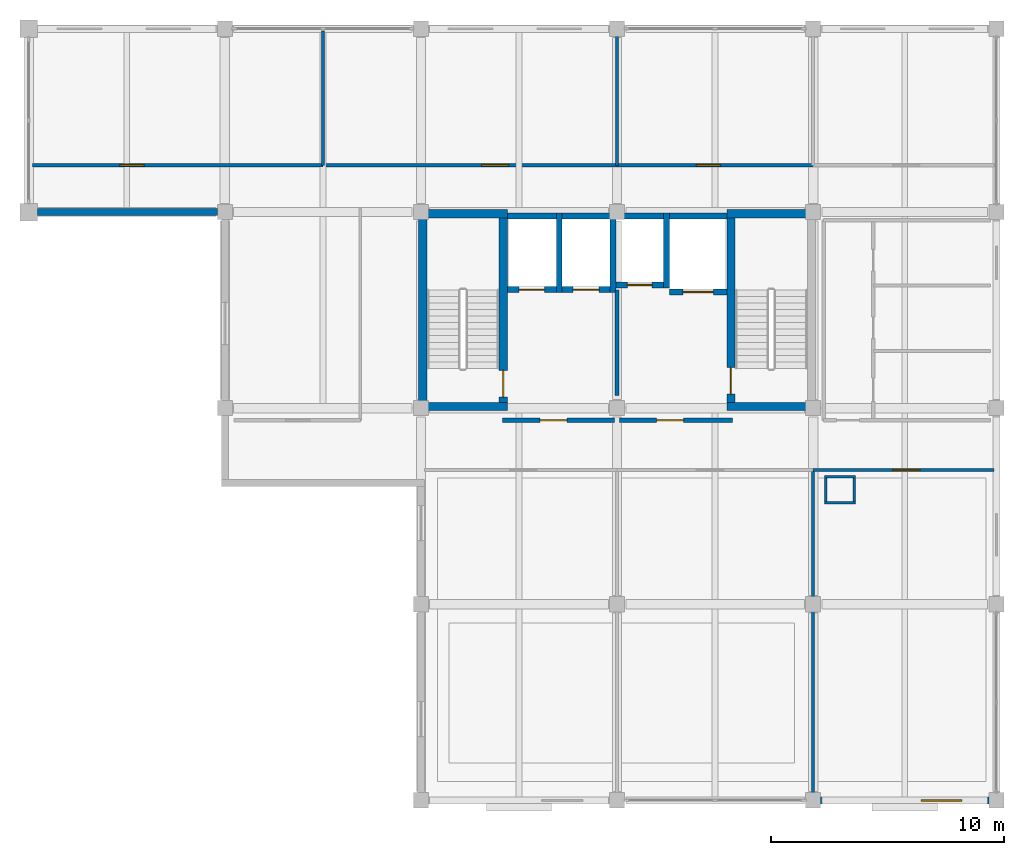
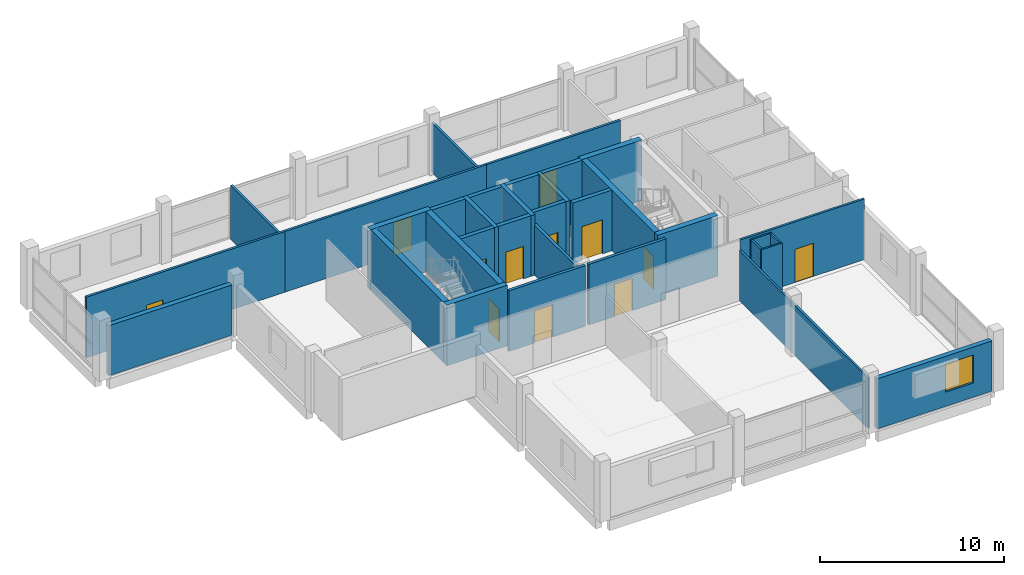
# One storey, part 7 of 9: 34 walls, 12 doors, 1 window, 13 openings.
"""IFC4 building model written with IfcOpenShell, lengths in metres."""

import ifcopenshell
import ifcopenshell.guid

model = None  # the IFC model being written
_history = None  # IfcOwnerHistory: only IFC2X3 demands one
_inside = {}  # id of a spatial element -> (the spatial element, [elements in it])
_under = {}  # id of a project, library or spatial element -> (it, [spatial elements below it])
_declared = {}  # id of a project -> (the project, [libraries it declares])
_typed = {}  # id of a type object -> (the type object, [elements of that type])
_made_of = {}  # id of a material, layer set ... -> (it, [elements and type objects made of it])


def new_model(schema):
    """Start an empty IFC model of exactly this schema.

    Asked for "IFC4X3", IfcOpenShell would pick the latest addendum, in which some entities
    have other attributes; the version numbers below select the first issue.
    IFC2X3 requires an IfcOwnerHistory on every rooted entity: one is made here for all.
    """
    global model, _history
    if schema == "IFC4X3":
        model = ifcopenshell.file(schema_version=(4, 3, 0, 0))
    else:
        model = ifcopenshell.file(schema=schema)
    _inside.clear()
    _under.clear()
    _declared.clear()
    _typed.clear()
    _made_of.clear()
    _history = None
    if model.schema == "IFC2X3":
        org = make("IfcOrganization", Name="unknown")
        user = make(
            "IfcPersonAndOrganization",
            ThePerson=make("IfcPerson", FamilyName="unknown"),
            TheOrganization=org,
        )
        app = make(
            "IfcApplication",
            ApplicationDeveloper=org,
            Version="unknown",
            ApplicationFullName="unknown",
            ApplicationIdentifier="unknown",
        )
        _history = make(
            "IfcOwnerHistory",
            OwningUser=user,
            OwningApplication=app,
            ChangeAction="ADDED",
            CreationDate=0,
        )
    return model


def make(cls, **values):
    """One entity of the class cls with the attributes given. An attribute that is None is left unset."""
    return model.create_entity(
        cls, **{name: value for name, value in values.items() if value is not None}
    )


def rooted(cls, **values):
    """An entity with a GlobalId (a new one), such as an element, a storey or a relation."""
    return make(cls, GlobalId=ifcopenshell.guid.new(), OwnerHistory=_history, **values)


def si_unit(unit_type, name, prefix=None):
    """IfcSIUnit, for example si_unit("LENGTHUNIT", "METRE", prefix="MILLI")."""
    return make("IfcSIUnit", UnitType=unit_type, Prefix=prefix, Name=name)


def assignment(units):
    """IfcUnitAssignment: the units of a project."""
    return None if units is None else make("IfcUnitAssignment", Units=units)


def point(xyz):
    """IfcCartesianPoint."""
    return None if xyz is None else make("IfcCartesianPoint", Coordinates=xyz)


def direction(xyz):
    """IfcDirection."""
    return None if xyz is None else make("IfcDirection", DirectionRatios=xyz)


def frame(location, z_axis=None, x_axis=None):
    """IfcAxis2Placement3D, a coordinate frame: its origin and axes. An axis left out is left unset."""
    return make(
        "IfcAxis2Placement3D",
        Location=point(location),
        Axis=direction(z_axis),
        RefDirection=direction(x_axis),
    )


def frame_2d(location, x_axis=None):
    """IfcAxis2Placement2D, a coordinate frame in the plane: its origin and x axis."""
    return make(
        "IfcAxis2Placement2D", Location=point(location), RefDirection=direction(x_axis)
    )


def origin():
    """The frame at (0, 0, 0) with its axes left unset."""
    return frame((0.0, 0.0, 0.0))


def place(relative_to, where):
    """IfcLocalPlacement: puts the frame where relative to a parent placement (None: the world)."""
    return make(
        "IfcLocalPlacement", PlacementRelTo=relative_to, RelativePlacement=where
    )


def context(
    kind, dimensions, precision=None, world=None, true_north=None, identifier=None
):
    """IfcGeometricRepresentationContext, for example the 3D "Model" context."""
    return make(
        "IfcGeometricRepresentationContext",
        ContextIdentifier=identifier,
        ContextType=kind,
        CoordinateSpaceDimension=dimensions,
        Precision=precision,
        WorldCoordinateSystem=world,
        TrueNorth=true_north,
    )


def subcontext(parent, identifier, kind, view, scale=None):
    """IfcGeometricRepresentationSubContext, for example "Body" below "Model"."""
    return make(
        "IfcGeometricRepresentationSubContext",
        ContextIdentifier=identifier,
        ContextType=kind,
        ParentContext=parent,
        TargetScale=scale,
        TargetView=view,
    )


def project(units=None, contexts=None):
    """IfcProject with its units and contexts."""
    return rooted(
        "IfcProject",
        Name="project",
        RepresentationContexts=contexts,
        UnitsInContext=assignment(units),
    )


def spatial(cls, under=None, at=None, **own):
    """A site, building, storey or space (cls), placed at a placement, below another one or the project."""
    s = rooted(cls, ObjectPlacement=at, **own)
    if under is not None:
        _under.setdefault(under.id(), (under, []))[1].append(s)
    return s


def profile(cls, at=None, kind="AREA", **sizes):
    """A parametric profile (cls). Its sizes go by their IFC names, for example OverallWidth=200.0."""
    return make(cls, ProfileType=kind, Position=at, **sizes)


def rectangle(**sizes):
    """IfcRectangleProfileDef."""
    return profile("IfcRectangleProfileDef", **sizes)


def extrude(swept, where, along, depth):
    """IfcExtrudedAreaSolid: the profile swept, set in the frame where, extruded along a direction by depth."""
    return make(
        "IfcExtrudedAreaSolid",
        SweptArea=swept,
        Position=where,
        ExtrudedDirection=direction(along),
        Depth=depth,
    )


def shape(context_of_items, identifier, shape_type, items):
    """IfcShapeRepresentation: the items that make up one representation, for example the "Body"."""
    return make(
        "IfcShapeRepresentation",
        ContextOfItems=context_of_items,
        RepresentationIdentifier=identifier,
        RepresentationType=shape_type,
        Items=items,
    )


def material(Name=None, Category=None):
    """IfcMaterial."""
    return make("IfcMaterial", Name=Name, Category=Category)


def layer(
    of_material, thickness, ventilated=None, Name=None, Category=None, Priority=None
):
    """IfcMaterialLayer: one layer of a wall or slab, of a material (None: an air gap)."""
    return make(
        "IfcMaterialLayer",
        Material=of_material,
        LayerThickness=thickness,
        IsVentilated=ventilated,
        Name=Name,
        Category=Category,
        Priority=Priority,
    )


def layer_set(layers, Name=None):
    """IfcMaterialLayerSet."""
    return make("IfcMaterialLayerSet", MaterialLayers=layers, LayerSetName=Name)


def made_of(thing, what):
    """Note that an element or type object is made of a material, layer set ...; save() writes the relation."""
    if what is not None:
        _made_of.setdefault(what.id(), (what, []))[1].append(thing)
    return thing


def type_object(cls, material=None, **own):
    """A type object (cls), such as IfcWallType, which elements share."""
    return made_of(rooted(cls, **own), material)


def element(
    cls,
    number,
    at=None,
    inside=None,
    cuts=None,
    type_object=None,
    material=None,
    context=None,
    identifier="Body",
    shape_type=None,
    held_by="IfcProductDefinitionShape",
    body=None,
    shapes=None,
    **own,
):
    """One element of the class cls, such as IfcWall. Its Tag is "e" and its number.

    at: its placement. inside: the storey or other place that contains it. cuts: it is an
    opening in that element (IfcRelVoidsElement). A single representation is given by context,
    identifier, shape_type and body (its items); several are given by shapes. held_by: the class
    of the entity that holds the representations. save() writes the other relations.
    """
    e = rooted(cls, Tag="e%d" % number, ObjectPlacement=at, **own)
    if body is not None:
        shapes = [shape(context, identifier, shape_type, body)]
    if shapes is not None:
        e.Representation = make(held_by, Representations=shapes)
    if inside is not None:
        _inside.setdefault(inside.id(), (inside, []))[1].append(e)
    if cuts is not None:
        rooted(
            "IfcRelVoidsElement", RelatingBuildingElement=cuts, RelatedOpeningElement=e
        )
    if type_object is not None:
        _typed.setdefault(type_object.id(), (type_object, []))[1].append(e)
    return made_of(e, material)


def fill(opening, filler):
    """IfcRelFillsElement: the door or window that sits in an opening."""
    return rooted(
        "IfcRelFillsElement",
        RelatingOpeningElement=opening,
        RelatedBuildingElement=filler,
    )


def aggregate(whole, parts):
    """IfcRelAggregates: a whole, such as a stair, and the parts it consists of."""
    return rooted("IfcRelAggregates", RelatingObject=whole, RelatedObjects=parts)


def save(model, path):
    """Write the relations noted so far, then the file.

    IfcRelAggregates (storeys below a building ...), IfcRelContainedInSpatialStructure (elements
    in a storey), IfcRelDefinesByType, IfcRelAssociatesMaterial and IfcRelDeclares: one each for
    every whole, place, type object, material and project.
    """
    for whole, parts in _under.values():
        aggregate(whole, parts)
    for where, things in _inside.values():
        rooted(
            "IfcRelContainedInSpatialStructure",
            RelatedElements=things,
            RelatingStructure=where,
        )
    for kind, things in _typed.values():
        rooted("IfcRelDefinesByType", RelatedObjects=things, RelatingType=kind)
    for what, things in _made_of.values():
        rooted("IfcRelAssociatesMaterial", RelatedObjects=things, RelatingMaterial=what)
    for by, libraries in _declared.values():
        rooted("IfcRelDeclares", RelatingContext=by, RelatedDefinitions=libraries)
    model.write(path)


model = new_model("IFC4")

# Units and contexts
model_context = context("Model", 3, precision=1e-05, world=origin(), true_north=direction((0.0, 1.0)))
body_context = subcontext(model_context, "Body", "Model", "MODEL_VIEW")
ifc_project = project(units=[si_unit("LENGTHUNIT", "METRE"), si_unit("AREAUNIT", "SQUARE_METRE"), si_unit("VOLUMEUNIT", "CUBIC_METRE"), si_unit("PLANEANGLEUNIT", "RADIAN"), si_unit("MASSUNIT", "GRAM", prefix="KILO")], contexts=[model_context])

# Site, building, storey
site_placement = place(None, origin())
site = spatial("IfcSite", under=ifc_project, at=site_placement, CompositionType="ELEMENT")
building_placement = place(site_placement, origin())
building = spatial("IfcBuilding", under=site, at=building_placement, Name="Brinegate Botanical Conservatory", CompositionType="ELEMENT")
storey_placement = place(building_placement, frame((0.0, 0.0, 57.0)))
storey = spatial("IfcBuildingStorey", under=building, at=storey_placement, Name="L14", CompositionType="ELEMENT", Elevation=57.0)

# Wall, opening, window
ifc_material_1 = material(Name="Insulated Minnan red clay brick masonry", Category="masonry")
ifc_layer_1 = layer(ifc_material_1, 0.300048828125, Name="Insulated Minnan red clay brick masonry", Category="masonry")
ifc_layer_set_1 = layer_set([ifc_layer_1], Name="Insulated Minnan red clay brick masonry")
wall_type_1 = type_object("IfcWallType", Name="Wall_EW-300B", PredefinedType="STANDARD", material=ifc_layer_set_1)
wall_1_placement = place(storey_placement, frame((163.125, 78.39990234375, 0.0), z_axis=(0.0, 0.0, 1.0), x_axis=(-1.0, 0.0, 0.0)))
wall_1 = element("IfcWall", 1, at=wall_1_placement, inside=storey, type_object=wall_type_1, Name="Tower south facade wall L14.3", PredefinedType="STANDARD", context=body_context, shape_type="SweptSolid", body=[
    extrude(rectangle(XDim=7.199951171875, YDim=0.300048828125, at=frame_2d((3.60009765625, 0.0))), origin(), (0.0, 0.0, 1.0), 3.320068359375),
])
opening_1_placement = place(wall_1_placement, frame((1.14990234375, 0.0, 0.949951171875)))
opening_1 = element("IfcOpeningElement", 2, at=opening_1_placement, cuts=wall_1, Name="Opening WN-28", PredefinedType="OPENING", context=body_context, shape_type="SweptSolid", body=[
    extrude(rectangle(XDim=1.75, YDim=1.85009765625, at=frame_2d((0.875, 0.925048828125))), frame((0.0, 0.159912109375, 0.0), z_axis=(0.0, -1.0, 0.0), x_axis=(1.0, 0.0, 0.0)), (0.0, 0.0, 1.0), 0.320068359375),
])
ifc_material_2 = material(Name="Thermally broken aluminium-framed Low-E glass", Category="aluminium")
window_type = type_object("IfcWindowType", Name="Win_WN-28", PartitioningType="DOUBLE_PANEL_VERTICAL", PredefinedType="WINDOW", material=ifc_material_2)
window_placement = place(opening_1_placement, origin())
window = element("IfcWindow", 3, at=window_placement, inside=storey, type_object=window_type, Name="Tower south window L14.3", OverallHeight=1.85009765625, OverallWidth=1.75, PartitioningType="DOUBLE_PANEL_VERTICAL", PredefinedType="WINDOW", context=body_context, shape_type="SweptSolid", body=[
    extrude(rectangle(XDim=1.75, YDim=1.85009765625, at=frame_2d((0.875, 0.925048828125))), frame((0.0, 0.030029296875, 0.0), z_axis=(0.0, -1.0, 0.0), x_axis=(1.0, 0.0, 0.0)), (0.0, 0.0, 1.0), 0.06005859375),
])
fill(opening_1, window)

# Walls
wall_2_placement = place(storey_placement, frame((130.074951171875, 103.60009765625, 0.0), z_axis=(0.0, 0.0, 1.0), x_axis=(-1.0, 0.0, 0.0)))
element("IfcWall", 4, at=wall_2_placement, inside=storey, type_object=wall_type_1, Name="Tower west setback return wall L14", PredefinedType="STANDARD", context=body_context, shape_type="SweptSolid", body=[
    extrude(rectangle(XDim=7.699951171875, YDim=0.300048828125, at=frame_2d((3.85009765625, 0.0))), origin(), (0.0, 0.0, 1.0), 3.320068359375),
])
ifc_material_3 = material(Name="Gypsum-clad steel-stud fire-rated shaft partition", Category="steel")
ifc_layer_2 = layer(ifc_material_3, 0.10498046875, Name="Gypsum-clad steel-stud fire-rated shaft partition", Category="steel")
ifc_layer_set_2 = layer_set([ifc_layer_2], Name="Gypsum-clad steel-stud fire-rated shaft partition")
wall_type_2 = type_object("IfcWallType", Name="Wall_PW-105", PredefinedType="PARTITIONING", material=ifc_layer_set_2)
for number, where, z_axis, x_axis, name in (
    (5, (156.094970703125, 91.1474609375, 0.0), (0.0, 0.0, 1.0), (1.0, 0.0, 0.0), "Service riser shaft wall L14 S"),
    (6, (156.094970703125, 92.25244140625, 0.0), (0.0, 0.0, 1.0), (1.0, 0.0, 0.0), "Service riser shaft wall L14 N"),
):
    element("IfcWall", number, at=place(storey_placement, frame(where, z_axis=z_axis, x_axis=x_axis)), inside=storey, type_object=wall_type_2, Name=name, PredefinedType="PARTITIONING", context=body_context, shape_type="SweptSolid", body=[
        extrude(rectangle(XDim=1.31005859375, YDim=0.10498046875, at=frame_2d((0.655029296875, 0.0))), origin(), (0.0, 0.0, 1.0), 4.02001953125),
    ])
for number, where, z_axis, x_axis, name in (
    (7, (156.1474609375, 91.199951171875, 0.0), (0.0, 0.0, 1.0), (0.0, 1.0, 0.0), "Service riser shaft wall L14 W"),
    (8, (157.3525390625, 91.199951171875, 0.0), (0.0, 0.0, 1.0), (0.0, 1.0, 0.0), "Service riser shaft wall L14 E"),
):
    element("IfcWall", number, at=place(storey_placement, frame(where, z_axis=z_axis, x_axis=x_axis)), inside=storey, type_object=wall_type_2, Name=name, PredefinedType="PARTITIONING", context=body_context, shape_type="SweptSolid", body=[
        extrude(rectangle(XDim=1.0, YDim=0.10498046875, at=frame_2d((0.5, 0.0))), origin(), (0.0, 0.0, 1.0), 4.02001953125),
    ])
ifc_material_4 = material(Name="Gypsum-clad steel-stud partition", Category="steel")
ifc_layer_3 = layer(ifc_material_4, 0.135009765625, Name="Gypsum-clad steel-stud partition", Category="steel")
ifc_layer_set_3 = layer_set([ifc_layer_3], Name="Gypsum-clad steel-stud partition")
wall_type_3 = type_object("IfcWallType", Name="Wall_PW-135", PredefinedType="PARTITIONING", material=ifc_layer_set_3)
wall_3_placement = place(storey_placement, frame((134.60009765625, 105.60009765625, 0.0), z_axis=(0.0, 0.0, 1.0), x_axis=(0.0, 1.0, 0.0)))
element("IfcWall", 9, at=wall_3_placement, inside=storey, type_object=wall_type_3, Name="Interior partition P-L14-NDIV-N2", PredefinedType="PARTITIONING", context=body_context, shape_type="SweptSolid", body=[
    extrude(rectangle(XDim=5.75, YDim=0.135009765625, at=frame_2d((2.875, 0.0))), origin(), (0.0, 0.0, 1.0), 3.570068359375),
])
wall_4_placement = place(storey_placement, frame((147.199951171875, 105.60009765625, 0.0), z_axis=(0.0, 0.0, 1.0), x_axis=(0.0, 1.0, 0.0)))
element("IfcWall", 10, at=wall_4_placement, inside=storey, type_object=wall_type_3, Name="Interior partition P-L14-NDIV-N3", PredefinedType="PARTITIONING", context=body_context, shape_type="SweptSolid", body=[
    extrude(rectangle(XDim=5.75, YDim=0.135009765625, at=frame_2d((2.875, 0.0))), origin(), (0.0, 0.0, 1.0), 3.320068359375),
])

# Wall, opening, door
wall_5_placement = place(storey_placement, frame((155.60009765625, 92.550048828125, 0.0), z_axis=(0.0, 0.0, 1.0), x_axis=(1.0, 0.0, 0.0)))
wall_5 = element("IfcWall", 11, at=wall_5_placement, inside=storey, type_object=wall_type_3, Name="Interior partition P-L14-SB-S3", PredefinedType="PARTITIONING", context=body_context, shape_type="SweptSolid", body=[
    extrude(rectangle(XDim=7.75, YDim=0.135009765625, at=frame_2d((3.875, 0.0))), origin(), (0.0, 0.0, 1.0), 4.02001953125),
])
opening_2_placement = place(wall_5_placement, frame((3.39990234375, 0.0, 0.0)))
opening_2 = element("IfcOpeningElement", 12, at=opening_2_placement, cuts=wall_5, Name="Opening DR-18", PredefinedType="OPENING", context=body_context, shape_type="SweptSolid", body=[
    extrude(rectangle(XDim=1.159912109375, YDim=2.199951171875, at=frame_2d((0.580078125, 1.10009765625))), frame((0.0, 0.077392578125, 0.0), z_axis=(0.0, -1.0, 0.0), x_axis=(1.0, 0.0, 0.0)), (0.0, 0.0, 1.0), 0.155029296875),
])
ifc_material_5 = material(Name="Hardwood office timber leaf", Category="wood")
door_type_1 = type_object("IfcDoorType", Name="Door_DR-18", OperationType="NOTDEFINED", PredefinedType="DOOR", material=ifc_material_5)
door_1_placement = place(opening_2_placement, origin())
door_1 = element("IfcDoor", 13, at=door_1_placement, inside=storey, type_object=door_type_1, Name="DR-P-L14-SB-S3-1", OperationType="SINGLE_SWING_RIGHT", OverallHeight=2.199951171875, OverallWidth=1.159912109375, PredefinedType="DOOR", context=body_context, shape_type="SweptSolid", body=[
    extrude(rectangle(XDim=1.159912109375, YDim=2.199951171875, at=frame_2d((0.580078125, 1.10009765625))), frame((0.0, 0.02490234375, 0.0), z_axis=(0.0, -1.0, 0.0), x_axis=(1.0, 0.0, 0.0)), (0.0, 0.0, 1.0), 0.050048828125),
])
fill(opening_2, door_1)

# Wall
wall_6_placement = place(storey_placement, frame((155.60009765625, 78.550048828125, 0.0), z_axis=(0.0, 0.0, 1.0), x_axis=(0.0, 1.0, 0.0)))
element("IfcWall", 14, at=wall_6_placement, inside=storey, type_object=wall_type_3, Name="Interior partition P-L14-SDIV-S3", PredefinedType="PARTITIONING", context=body_context, shape_type="SweptSolid", body=[
    extrude(rectangle(XDim=14.0, YDim=0.135009765625, at=frame_2d((7.0, 0.0))), origin(), (0.0, 0.0, 1.0), 3.320068359375),
])

# Wall, opening, door
ifc_material_6 = material(Name="Gypsum-clad acoustic steel-stud partition", Category="steel")
ifc_layer_4 = layer(ifc_material_6, 0.14501953125, Name="Gypsum-clad acoustic steel-stud partition", Category="steel")
ifc_layer_set_4 = layer_set([ifc_layer_4], Name="Gypsum-clad acoustic steel-stud partition")
wall_type_4 = type_object("IfcWallType", Name="Wall_PW-150", PredefinedType="PARTITIONING", material=ifc_layer_set_4)
wall_7_placement = place(storey_placement, frame((122.14990234375, 105.60009765625, 0.0), z_axis=(0.0, 0.0, 1.0), x_axis=(1.0, 0.0, 0.0)))
wall_7 = element("IfcWall", 15, at=wall_7_placement, inside=storey, type_object=wall_type_4, Name="Interior partition P-L14-NB-N1", PredefinedType="PARTITIONING", context=body_context, shape_type="SweptSolid", body=[
    extrude(rectangle(XDim=12.4501953125, YDim=0.14501953125, at=frame_2d((6.22509765625, 0.0))), origin(), (0.0, 0.0, 1.0), 4.02001953125),
])
opening_3_placement = place(wall_7_placement, frame((3.75, 0.0, 0.0)))
opening_3 = element("IfcOpeningElement", 16, at=opening_3_placement, cuts=wall_7, Name="Opening DR-14", PredefinedType="OPENING", context=body_context, shape_type="SweptSolid", body=[
    extrude(rectangle(XDim=1.0400390625, YDim=2.159912109375, at=frame_2d((0.52001953125, 1.080078125))), frame((0.0, 0.08251953125, 0.0), z_axis=(0.0, -1.0, 0.0), x_axis=(1.0, 0.0, 0.0)), (0.0, 0.0, 1.0), 0.1650390625),
])
ifc_material_7 = material(Name="Hardwood laboratory timber leaf", Category="wood")
door_type_2 = type_object("IfcDoorType", Name="Door_DR-14", OperationType="NOTDEFINED", PredefinedType="DOOR", material=ifc_material_7)
door_2_placement = place(opening_3_placement, origin())
door_2 = element("IfcDoor", 17, at=door_2_placement, inside=storey, type_object=door_type_2, Name="DR-P-L14-NB-N1-1", OperationType="SINGLE_SWING_LEFT", OverallHeight=2.159912109375, OverallWidth=1.0400390625, PredefinedType="DOOR", context=body_context, shape_type="SweptSolid", body=[
    extrude(rectangle(XDim=1.0400390625, YDim=2.159912109375, at=frame_2d((0.52001953125, 1.080078125))), frame((0.0, 0.02490234375, 0.0), z_axis=(0.0, -1.0, 0.0), x_axis=(1.0, 0.0, 0.0)), (0.0, 0.0, 1.0), 0.050048828125),
])
fill(opening_3, door_2)

wall_8_placement = place(storey_placement, frame((134.60009765625, 105.60009765625, 0.0), z_axis=(0.0, 0.0, 1.0), x_axis=(1.0, 0.0, 0.0)))
wall_8 = element("IfcWall", 18, at=wall_8_placement, inside=storey, type_object=wall_type_4, Name="Interior partition P-L14-NB-N2", PredefinedType="PARTITIONING", context=body_context, shape_type="SweptSolid", body=[
    extrude(rectangle(XDim=12.599853515625, YDim=0.14501953125, at=frame_2d((6.2998046875, 0.0))), origin(), (0.0, 0.0, 1.0), 4.02001953125),
])
opening_4_placement = place(wall_8_placement, frame((6.800048828125, 0.0, 0.0)))
opening_4 = element("IfcOpeningElement", 19, at=opening_4_placement, cuts=wall_8, Name="Opening DR-18", PredefinedType="OPENING", context=body_context, shape_type="SweptSolid", body=[
    extrude(rectangle(XDim=1.159912109375, YDim=2.199951171875, at=frame_2d((0.580078125, 1.10009765625))), frame((0.0, 0.08251953125, 0.0), z_axis=(0.0, -1.0, 0.0), x_axis=(1.0, 0.0, 0.0)), (0.0, 0.0, 1.0), 0.1650390625),
])
door_3_placement = place(opening_4_placement, origin())
door_3 = element("IfcDoor", 20, at=door_3_placement, inside=storey, type_object=door_type_1, Name="DR-P-L14-NB-N2-1", OperationType="SINGLE_SWING_RIGHT", OverallHeight=2.199951171875, OverallWidth=1.159912109375, PredefinedType="DOOR", context=body_context, shape_type="SweptSolid", body=[
    extrude(rectangle(XDim=1.159912109375, YDim=2.199951171875, at=frame_2d((0.580078125, 1.10009765625))), frame((0.0, 0.02490234375, 0.0), z_axis=(0.0, -1.0, 0.0), x_axis=(1.0, 0.0, 0.0)), (0.0, 0.0, 1.0), 0.050048828125),
])
fill(opening_4, door_3)

wall_9_placement = place(storey_placement, frame((147.199951171875, 105.60009765625, 0.0), z_axis=(0.0, 0.0, 1.0), x_axis=(1.0, 0.0, 0.0)))
wall_9 = element("IfcWall", 21, at=wall_9_placement, inside=storey, type_object=wall_type_4, Name="Interior partition P-L14-NB-N3", PredefinedType="PARTITIONING", context=body_context, shape_type="SweptSolid", body=[
    extrude(rectangle(XDim=8.400146484375, YDim=0.14501953125, at=frame_2d((4.2001953125, 0.0))), origin(), (0.0, 0.0, 1.0), 4.02001953125),
])
opening_5_placement = place(wall_9_placement, frame((3.39990234375, 0.0, 0.0)))
opening_5 = element("IfcOpeningElement", 22, at=opening_5_placement, cuts=wall_9, Name="Opening DR-14", PredefinedType="OPENING", context=body_context, shape_type="SweptSolid", body=[
    extrude(rectangle(XDim=1.0400390625, YDim=2.159912109375, at=frame_2d((0.52001953125, 1.080078125))), frame((0.0, 0.08251953125, 0.0), z_axis=(0.0, -1.0, 0.0), x_axis=(1.0, 0.0, 0.0)), (0.0, 0.0, 1.0), 0.1650390625),
])
door_4_placement = place(opening_5_placement, origin())
door_4 = element("IfcDoor", 23, at=door_4_placement, inside=storey, type_object=door_type_2, Name="DR-P-L14-NB-N3-1", OperationType="SINGLE_SWING_LEFT", OverallHeight=2.159912109375, OverallWidth=1.0400390625, PredefinedType="DOOR", context=body_context, shape_type="SweptSolid", body=[
    extrude(rectangle(XDim=1.0400390625, YDim=2.159912109375, at=frame_2d((0.52001953125, 1.080078125))), frame((0.0, 0.02490234375, 0.0), z_axis=(0.0, -1.0, 0.0), x_axis=(1.0, 0.0, 0.0)), (0.0, 0.0, 1.0), 0.050048828125),
])
fill(opening_5, door_4)

ifc_material_8 = material(Name="Autoclaved aerated concrete C40/50 blockwork", Category="masonry")
ifc_layer_5 = layer(ifc_material_8, 0.179931640625, Name="Autoclaved aerated concrete C40/50 blockwork", Category="masonry")
ifc_layer_set_5 = layer_set([ifc_layer_5], Name="Autoclaved aerated concrete C40/50 blockwork")
wall_type_5 = type_object("IfcWallType", Name="Wall_PW-180F", PredefinedType="STANDARD", material=ifc_layer_set_5)
wall_10_placement = place(storey_placement, frame((142.300048828125, 94.679931640625, 0.0), z_axis=(0.0, 0.0, 1.0), x_axis=(1.0, 0.0, 0.0)))
wall_10 = element("IfcWall", 24, at=wall_10_placement, inside=storey, type_object=wall_type_5, Name="Interior partition P-L14-CORE-FF", PredefinedType="STANDARD", context=body_context, shape_type="SweptSolid", body=[
    extrude(rectangle(XDim=4.800048828125, YDim=0.179931640625, at=frame_2d((2.39990234375, 0.0))), origin(), (0.0, 0.0, 1.0), 4.02001953125),
])
opening_6_placement = place(wall_10_placement, frame((1.60009765625, 0.0, 0.0)))
opening_6 = element("IfcOpeningElement", 25, at=opening_6_placement, cuts=wall_10, Name="Opening FD-B1", PredefinedType="OPENING", context=body_context, shape_type="SweptSolid", body=[
    extrude(rectangle(XDim=1.14990234375, YDim=2.14990234375, at=frame_2d((0.574951171875, 1.074951171875))), frame((0.0, 0.099853515625, 0.0), z_axis=(0.0, -1.0, 0.0), x_axis=(1.0, 0.0, 0.0)), (0.0, 0.0, 1.0), 0.199951171875),
])
ifc_material_9 = material(Name="Steel smoke-proof fire door assembly", Category="steel")
door_type_3 = type_object("IfcDoorType", Name="Door_FD-B1", OperationType="NOTDEFINED", PredefinedType="DOOR", material=ifc_material_9)
door_5_placement = place(opening_6_placement, origin())
door_5 = element("IfcDoor", 26, at=door_5_placement, inside=storey, type_object=door_type_3, Name="DR-P-L14-CORE-FF-1", OperationType="SINGLE_SWING_LEFT", OverallHeight=2.14990234375, OverallWidth=1.14990234375, PredefinedType="DOOR", context=body_context, shape_type="SweptSolid", body=[
    extrude(rectangle(XDim=1.14990234375, YDim=2.14990234375, at=frame_2d((0.574951171875, 1.074951171875))), frame((0.0, 0.02490234375, 0.0), z_axis=(0.0, -1.0, 0.0), x_axis=(1.0, 0.0, 0.0)), (0.0, 0.0, 1.0), 0.050048828125),
])
fill(opening_6, door_5)

wall_11_placement = place(storey_placement, frame((147.300048828125, 94.679931640625, 0.0), z_axis=(0.0, 0.0, 1.0), x_axis=(1.0, 0.0, 0.0)))
wall_11 = element("IfcWall", 27, at=wall_11_placement, inside=storey, type_object=wall_type_5, Name="Interior partition P-L14-CORE-PAX", PredefinedType="STANDARD", context=body_context, shape_type="SweptSolid", body=[
    extrude(rectangle(XDim=4.849853515625, YDim=0.179931640625, at=frame_2d((2.4248046875, 0.0))), origin(), (0.0, 0.0, 1.0), 4.02001953125),
])
opening_7_placement = place(wall_11_placement, frame((1.60009765625, 0.0, 0.0)))
opening_7 = element("IfcOpeningElement", 28, at=opening_7_placement, cuts=wall_11, Name="Opening FD-B1", PredefinedType="OPENING", context=body_context, shape_type="SweptSolid", body=[
    extrude(rectangle(XDim=1.14990234375, YDim=2.14990234375, at=frame_2d((0.574951171875, 1.074951171875))), frame((0.0, 0.099853515625, 0.0), z_axis=(0.0, -1.0, 0.0), x_axis=(1.0, 0.0, 0.0)), (0.0, 0.0, 1.0), 0.199951171875),
])
door_6_placement = place(opening_7_placement, origin())
door_6 = element("IfcDoor", 29, at=door_6_placement, inside=storey, type_object=door_type_3, Name="DR-P-L14-CORE-PAX-1", OperationType="SINGLE_SWING_RIGHT", OverallHeight=2.14990234375, OverallWidth=1.14990234375, PredefinedType="DOOR", context=body_context, shape_type="SweptSolid", body=[
    extrude(rectangle(XDim=1.14990234375, YDim=2.14990234375, at=frame_2d((0.574951171875, 1.074951171875))), frame((0.0, 0.02490234375, 0.0), z_axis=(0.0, -1.0, 0.0), x_axis=(1.0, 0.0, 0.0)), (0.0, 0.0, 1.0), 0.050048828125),
])
fill(opening_7, door_6)

# Wall
wall_12_placement = place(storey_placement, frame((147.199951171875, 95.75, 0.0), z_axis=(0.0, 0.0, 1.0), x_axis=(0.0, 1.0, 0.0)))
element("IfcWall", 30, at=wall_12_placement, inside=storey, type_object=wall_type_5, Name="Interior partition P-L14-CORE-DIV", PredefinedType="STANDARD", context=body_context, shape_type="SweptSolid", body=[
    extrude(rectangle(XDim=4.5, YDim=0.179931640625, at=frame_2d((2.25, 0.0))), origin(), (0.0, 0.0, 1.0), 3.320068359375),
])

# Wall, opening, door
ifc_material_10 = material(Name="Concrete C40/50", Category="concrete")
ifc_layer_6 = layer(ifc_material_10, 0.25, Name="Concrete C40/50", Category="concrete")
ifc_layer_set_6 = layer_set([ifc_layer_6], Name="Concrete C40/50")
wall_type_6 = type_object("IfcWallType", Name="Wall_SW-250", PredefinedType="SHEAR", material=ifc_layer_set_6)
wall_13_placement = place(storey_placement, frame((142.5, 100.27490234375, 0.0), z_axis=(0.0, 0.0, 1.0), x_axis=(1.0, 0.0, 0.0)))
wall_13 = element("IfcWall", 31, at=wall_13_placement, inside=storey, type_object=wall_type_6, Name="Lift shaft LF1 shear wall L14 S", PredefinedType="SHEAR", context=body_context, shape_type="SweptSolid", body=[
    extrude(rectangle(XDim=2.10009765625, YDim=0.25, at=frame_2d((1.050048828125, 0.0))), origin(), (0.0, 0.0, 1.0), 4.02001953125),
])
opening_8_placement = place(wall_13_placement, frame((0.5, 0.0, 0.0)))
opening_8 = element("IfcOpeningElement", 32, at=opening_8_placement, cuts=wall_13, Name="Opening LD-01", PredefinedType="OPENING", context=body_context, shape_type="SweptSolid", body=[
    extrude(rectangle(XDim=1.10009765625, YDim=2.14990234375, at=frame_2d((0.550048828125, 1.074951171875))), frame((0.0, 0.135009765625, 0.0), z_axis=(0.0, -1.0, 0.0), x_axis=(1.0, 0.0, 0.0)), (0.0, 0.0, 1.0), 0.27001953125),
])
ifc_material_11 = material(Name="Brushed stainless steel S355 landing door", Category="steel")
door_type_4 = type_object("IfcDoorType", Name="Door_LD-01", OperationType="SLIDING_TO_LEFT", PredefinedType="DOOR", material=ifc_material_11)
door_7_placement = place(opening_8_placement, origin())
door_7 = element("IfcDoor", 33, at=door_7_placement, inside=storey, type_object=door_type_4, Name="LD-LF1-L14", OperationType="SLIDING_TO_LEFT", OverallHeight=2.14990234375, OverallWidth=1.10009765625, PredefinedType="DOOR", context=body_context, shape_type="SweptSolid", body=[
    extrude(rectangle(XDim=1.10009765625, YDim=2.14990234375, at=frame_2d((0.550048828125, 1.074951171875))), frame((0.0, 0.02490234375, 0.0), z_axis=(0.0, -1.0, 0.0), x_axis=(1.0, 0.0, 0.0)), (0.0, 0.0, 1.0), 0.050048828125),
])
fill(opening_8, door_7)

# Walls
wall_14_placement = place(storey_placement, frame((142.5, 103.425048828125, 0.0), z_axis=(0.0, 0.0, 1.0), x_axis=(1.0, 0.0, 0.0)))
element("IfcWall", 34, at=wall_14_placement, inside=storey, type_object=wall_type_6, Name="Lift shaft LF1 shear wall L14 N", PredefinedType="SHEAR", context=body_context, shape_type="SweptSolid", body=[
    extrude(rectangle(XDim=2.10009765625, YDim=0.25, at=frame_2d((1.050048828125, 0.0))), origin(), (0.0, 0.0, 1.0), 4.02001953125),
])
wall_15_placement = place(storey_placement, frame((144.72509765625, 100.14990234375, 0.0), z_axis=(0.0, 0.0, 1.0), x_axis=(0.0, 1.0, 0.0)))
element("IfcWall", 35, at=wall_15_placement, inside=storey, type_object=wall_type_6, Name="Lift shaft LF1 shear wall L14 E", PredefinedType="SHEAR", context=body_context, shape_type="SweptSolid", body=[
    extrude(rectangle(XDim=3.400146484375, YDim=0.25, at=frame_2d((1.7001953125, 0.0))), origin(), (0.0, 0.0, 1.0), 4.02001953125),
])

# Wall, opening, door
wall_16_placement = place(storey_placement, frame((144.85009765625, 100.27490234375, 0.0), z_axis=(0.0, 0.0, 1.0), x_axis=(1.0, 0.0, 0.0)))
wall_16 = element("IfcWall", 36, at=wall_16_placement, inside=storey, type_object=wall_type_6, Name="Lift shaft LF2 shear wall L14 S", PredefinedType="SHEAR", context=body_context, shape_type="SweptSolid", body=[
    extrude(rectangle(XDim=2.0498046875, YDim=0.25, at=frame_2d((1.02490234375, 0.0))), origin(), (0.0, 0.0, 1.0), 4.02001953125),
])
opening_9_placement = place(wall_16_placement, frame((0.465087890625, 0.0, 0.0)))
opening_9 = element("IfcOpeningElement", 37, at=opening_9_placement, cuts=wall_16, Name="Opening LD-02", PredefinedType="OPENING", context=body_context, shape_type="SweptSolid", body=[
    extrude(rectangle(XDim=1.1201171875, YDim=2.14990234375, at=frame_2d((0.56005859375, 1.074951171875))), frame((0.0, 0.135009765625, 0.0), z_axis=(0.0, -1.0, 0.0), x_axis=(1.0, 0.0, 0.0)), (0.0, 0.0, 1.0), 0.27001953125),
])
door_type_5 = type_object("IfcDoorType", Name="Door_LD-02", OperationType="SLIDING_TO_LEFT", PredefinedType="DOOR", material=ifc_material_11)
door_8_placement = place(opening_9_placement, origin())
door_8 = element("IfcDoor", 38, at=door_8_placement, inside=storey, type_object=door_type_5, Name="LD-LF2-L14", OperationType="SLIDING_TO_LEFT", OverallHeight=2.14990234375, OverallWidth=1.1201171875, PredefinedType="DOOR", context=body_context, shape_type="SweptSolid", body=[
    extrude(rectangle(XDim=1.1201171875, YDim=2.14990234375, at=frame_2d((0.56005859375, 1.074951171875))), frame((0.0, 0.02490234375, 0.0), z_axis=(0.0, -1.0, 0.0), x_axis=(1.0, 0.0, 0.0)), (0.0, 0.0, 1.0), 0.050048828125),
])
fill(opening_9, door_8)

# Walls
wall_17_placement = place(storey_placement, frame((144.85009765625, 103.425048828125, 0.0), z_axis=(0.0, 0.0, 1.0), x_axis=(1.0, 0.0, 0.0)))
element("IfcWall", 39, at=wall_17_placement, inside=storey, type_object=wall_type_6, Name="Lift shaft LF2 shear wall L14 N", PredefinedType="SHEAR", context=body_context, shape_type="SweptSolid", body=[
    extrude(rectangle(XDim=2.0498046875, YDim=0.25, at=frame_2d((1.02490234375, 0.0))), origin(), (0.0, 0.0, 1.0), 4.02001953125),
])
wall_18_placement = place(storey_placement, frame((147.02490234375, 100.14990234375, 0.0), z_axis=(0.0, 0.0, 1.0), x_axis=(0.0, 1.0, 0.0)))
element("IfcWall", 40, at=wall_18_placement, inside=storey, type_object=wall_type_6, Name="Lift shaft LF2 shear wall L14 E", PredefinedType="SHEAR", context=body_context, shape_type="SweptSolid", body=[
    extrude(rectangle(XDim=3.400146484375, YDim=0.25, at=frame_2d((1.7001953125, 0.0))), origin(), (0.0, 0.0, 1.0), 4.02001953125),
])

# Wall, opening, door
wall_19_placement = place(storey_placement, frame((147.14990234375, 100.47509765625, 0.0), z_axis=(0.0, 0.0, 1.0), x_axis=(1.0, 0.0, 0.0)))
wall_19 = element("IfcWall", 41, at=wall_19_placement, inside=storey, type_object=wall_type_6, Name="Lift shaft LF3 shear wall L14 S", PredefinedType="SHEAR", context=body_context, shape_type="SweptSolid", body=[
    extrude(rectangle(XDim=2.050048828125, YDim=0.25, at=frame_2d((1.02490234375, 0.0))), origin(), (0.0, 0.0, 1.0), 4.02001953125),
])
opening_10_placement = place(wall_19_placement, frame((0.4951171875, 0.0, 0.0)))
opening_10 = element("IfcOpeningElement", 42, at=opening_10_placement, cuts=wall_19, Name="Opening LD-03", PredefinedType="OPENING", context=body_context, shape_type="SweptSolid", body=[
    extrude(rectangle(XDim=1.06005859375, YDim=2.14990234375, at=frame_2d((0.530029296875, 1.074951171875))), frame((0.0, 0.135009765625, 0.0), z_axis=(0.0, -1.0, 0.0), x_axis=(1.0, 0.0, 0.0)), (0.0, 0.0, 1.0), 0.27001953125),
])
door_type_6 = type_object("IfcDoorType", Name="Door_LD-03", OperationType="SLIDING_TO_LEFT", PredefinedType="DOOR", material=ifc_material_11)
door_9_placement = place(opening_10_placement, origin())
door_9 = element("IfcDoor", 43, at=door_9_placement, inside=storey, type_object=door_type_6, Name="LD-LF3-L14", OperationType="SLIDING_TO_LEFT", OverallHeight=2.14990234375, OverallWidth=1.06005859375, PredefinedType="DOOR", context=body_context, shape_type="SweptSolid", body=[
    extrude(rectangle(XDim=1.06005859375, YDim=2.14990234375, at=frame_2d((0.530029296875, 1.074951171875))), frame((0.0, 0.02490234375, 0.0), z_axis=(0.0, -1.0, 0.0), x_axis=(1.0, 0.0, 0.0)), (0.0, 0.0, 1.0), 0.050048828125),
])
fill(opening_10, door_9)

# Walls
wall_20_placement = place(storey_placement, frame((147.14990234375, 103.425048828125, 0.0), z_axis=(0.0, 0.0, 1.0), x_axis=(1.0, 0.0, 0.0)))
element("IfcWall", 44, at=wall_20_placement, inside=storey, type_object=wall_type_6, Name="Lift shaft LF3 shear wall L14 N", PredefinedType="SHEAR", context=body_context, shape_type="SweptSolid", body=[
    extrude(rectangle(XDim=2.050048828125, YDim=0.25, at=frame_2d((1.02490234375, 0.0))), origin(), (0.0, 0.0, 1.0), 4.02001953125),
])
wall_21_placement = place(storey_placement, frame((149.324951171875, 100.35009765625, 0.0), z_axis=(0.0, 0.0, 1.0), x_axis=(0.0, 1.0, 0.0)))
element("IfcWall", 45, at=wall_21_placement, inside=storey, type_object=wall_type_6, Name="Lift shaft LF3 shear wall L14 E", PredefinedType="SHEAR", context=body_context, shape_type="SweptSolid", body=[
    extrude(rectangle(XDim=3.199951171875, YDim=0.25, at=frame_2d((1.60009765625, 0.0))), origin(), (0.0, 0.0, 1.0), 4.02001953125),
])

# Wall, opening, door
wall_22_placement = place(storey_placement, frame((149.449951171875, 100.175048828125, 0.0), z_axis=(0.0, 0.0, 1.0), x_axis=(1.0, 0.0, 0.0)))
wall_22 = element("IfcWall", 46, at=wall_22_placement, inside=storey, type_object=wall_type_6, Name="Lift shaft LF4 shear wall L14 S", PredefinedType="SHEAR", context=body_context, shape_type="SweptSolid", body=[
    extrude(rectangle(XDim=2.449951171875, YDim=0.25, at=frame_2d((1.22509765625, 0.0))), origin(), (0.0, 0.0, 1.0), 4.02001953125),
])
opening_11_placement = place(wall_22_placement, frame((0.574951171875, 0.0, 0.0)))
opening_11 = element("IfcOpeningElement", 47, at=opening_11_placement, cuts=wall_22, Name="Opening LD-04", PredefinedType="OPENING", context=body_context, shape_type="SweptSolid", body=[
    extrude(rectangle(XDim=1.300048828125, YDim=2.25, at=frame_2d((0.64990234375, 1.125))), frame((0.0, 0.135009765625, 0.0), z_axis=(0.0, -1.0, 0.0), x_axis=(1.0, 0.0, 0.0)), (0.0, 0.0, 1.0), 0.27001953125),
])
door_type_7 = type_object("IfcDoorType", Name="Door_LD-04", OperationType="SLIDING_TO_LEFT", PredefinedType="DOOR", material=ifc_material_11)
door_10_placement = place(opening_11_placement, origin())
door_10 = element("IfcDoor", 48, at=door_10_placement, inside=storey, type_object=door_type_7, Name="LD-LF4-L14", OperationType="SLIDING_TO_LEFT", OverallHeight=2.25, OverallWidth=1.300048828125, PredefinedType="DOOR", context=body_context, shape_type="SweptSolid", body=[
    extrude(rectangle(XDim=1.300048828125, YDim=2.25, at=frame_2d((0.64990234375, 1.125))), frame((0.0, 0.02490234375, 0.0), z_axis=(0.0, -1.0, 0.0), x_axis=(1.0, 0.0, 0.0)), (0.0, 0.0, 1.0), 0.050048828125),
])
fill(opening_11, door_10)

# Walls
wall_23_placement = place(storey_placement, frame((149.449951171875, 103.425048828125, 0.0), z_axis=(0.0, 0.0, 1.0), x_axis=(1.0, 0.0, 0.0)))
element("IfcWall", 49, at=wall_23_placement, inside=storey, type_object=wall_type_6, Name="Lift shaft LF4 shear wall L14 N", PredefinedType="SHEAR", context=body_context, shape_type="SweptSolid", body=[
    extrude(rectangle(XDim=2.449951171875, YDim=0.25, at=frame_2d((1.22509765625, 0.0))), origin(), (0.0, 0.0, 1.0), 4.02001953125),
])
ifc_layer_7 = layer(ifc_material_10, 0.35009765625, Name="Concrete C40/50", Category="concrete")
ifc_layer_set_7 = layer_set([ifc_layer_7], Name="Concrete C40/50")
wall_type_7 = type_object("IfcWallType", Name="Wall_SW-350", PredefinedType="SHEAR", material=ifc_layer_set_7)
for number, where, z_axis, x_axis, name in (
    (50, (138.699951171875, 95.27490234375, 0.0), (0.0, 0.0, 1.0), (1.0, 0.0, 0.0), "Stairwell ST1 shear wall L14 S"),
    (51, (138.699951171875, 103.52490234375, 0.0), (0.0, 0.0, 1.0), (1.0, 0.0, 0.0), "Stairwell ST1 shear wall L14 N"),
):
    element("IfcWall", number, at=place(storey_placement, frame(where, z_axis=z_axis, x_axis=x_axis)), inside=storey, type_object=wall_type_7, Name=name, PredefinedType="SHEAR", context=body_context, shape_type="SweptSolid", body=[
        extrude(rectangle(XDim=3.800048828125, YDim=0.35009765625, at=frame_2d((1.89990234375, 0.0))), origin(), (0.0, 0.0, 1.0), 4.02001953125),
    ])
wall_24_placement = place(storey_placement, frame((138.875, 95.449951171875, 0.0), z_axis=(0.0, 0.0, 1.0), x_axis=(0.0, 1.0, 0.0)))
element("IfcWall", 52, at=wall_24_placement, inside=storey, type_object=wall_type_7, Name="Stairwell ST1 shear wall L14 W", PredefinedType="SHEAR", context=body_context, shape_type="SweptSolid", body=[
    extrude(rectangle(XDim=7.900146484375, YDim=0.35009765625, at=frame_2d((3.9501953125, 0.0))), origin(), (0.0, 0.0, 1.0), 4.02001953125),
])

# Wall, opening, door
wall_25_placement = place(storey_placement, frame((142.324951171875, 95.449951171875, 0.0), z_axis=(0.0, 0.0, 1.0), x_axis=(0.0, 1.0, 0.0)))
wall_25 = element("IfcWall", 53, at=wall_25_placement, inside=storey, type_object=wall_type_7, Name="Stairwell ST1 shear wall L14 E", PredefinedType="SHEAR", context=body_context, shape_type="SweptSolid", body=[
    extrude(rectangle(XDim=7.900146484375, YDim=0.35009765625, at=frame_2d((3.9501953125, 0.0))), origin(), (0.0, 0.0, 1.0), 4.02001953125),
])
opening_12_placement = place(wall_25_placement, frame((0.219970703125, 0.0, 0.0)))
opening_12 = element("IfcOpeningElement", 54, at=opening_12_placement, cuts=wall_25, Name="Opening FD-B1", PredefinedType="OPENING", context=body_context, shape_type="SweptSolid", body=[
    extrude(rectangle(XDim=1.14990234375, YDim=2.14990234375, at=frame_2d((0.574951171875, 1.074951171875))), frame((0.0, 0.18505859375, 0.0), z_axis=(0.0, -1.0, 0.0), x_axis=(1.0, 0.0, 0.0)), (0.0, 0.0, 1.0), 0.3701171875),
])
door_11_placement = place(opening_12_placement, origin())
door_11 = element("IfcDoor", 55, at=door_11_placement, inside=storey, type_object=door_type_3, Name="DR-ST-ST1-L14", OperationType="SINGLE_SWING_RIGHT", OverallHeight=2.14990234375, OverallWidth=1.14990234375, PredefinedType="DOOR", context=body_context, shape_type="SweptSolid", body=[
    extrude(rectangle(XDim=1.14990234375, YDim=2.14990234375, at=frame_2d((0.574951171875, 1.074951171875))), frame((0.0, 0.02490234375, 0.0), z_axis=(0.0, -1.0, 0.0), x_axis=(1.0, 0.0, 0.0)), (0.0, 0.0, 1.0), 0.050048828125),
])
fill(opening_12, door_11)

# Walls
for number, where, z_axis, x_axis, name in (
    (56, (151.89990234375, 95.27490234375, 0.0), (0.0, 0.0, 1.0), (1.0, 0.0, 0.0), "Stairwell ST2 shear wall L14 S"),
    (57, (151.89990234375, 103.52490234375, 0.0), (0.0, 0.0, 1.0), (1.0, 0.0, 0.0), "Stairwell ST2 shear wall L14 N"),
):
    element("IfcWall", number, at=place(storey_placement, frame(where, z_axis=z_axis, x_axis=x_axis)), inside=storey, type_object=wall_type_7, Name=name, PredefinedType="SHEAR", context=body_context, shape_type="SweptSolid", body=[
        extrude(rectangle(XDim=3.800048828125, YDim=0.35009765625, at=frame_2d((1.89990234375, 0.0))), origin(), (0.0, 0.0, 1.0), 4.02001953125),
    ])

# Wall, opening, door
wall_26_placement = place(storey_placement, frame((152.074951171875, 95.449951171875, 0.0), z_axis=(0.0, 0.0, 1.0), x_axis=(0.0, 1.0, 0.0)))
wall_26 = element("IfcWall", 58, at=wall_26_placement, inside=storey, type_object=wall_type_7, Name="Stairwell ST2 shear wall L14 W", PredefinedType="SHEAR", context=body_context, shape_type="SweptSolid", body=[
    extrude(rectangle(XDim=7.900146484375, YDim=0.35009765625, at=frame_2d((3.9501953125, 0.0))), origin(), (0.0, 0.0, 1.0), 4.02001953125),
])
opening_13_placement = place(wall_26_placement, frame((0.35009765625, 0.0, 0.0)))
opening_13 = element("IfcOpeningElement", 59, at=opening_13_placement, cuts=wall_26, Name="Opening FD-B1", PredefinedType="OPENING", context=body_context, shape_type="SweptSolid", body=[
    extrude(rectangle(XDim=1.14990234375, YDim=2.14990234375, at=frame_2d((0.574951171875, 1.074951171875))), frame((0.0, 0.18505859375, 0.0), z_axis=(0.0, -1.0, 0.0), x_axis=(1.0, 0.0, 0.0)), (0.0, 0.0, 1.0), 0.3701171875),
])
door_12_placement = place(opening_13_placement, origin())
door_12 = element("IfcDoor", 60, at=door_12_placement, inside=storey, type_object=door_type_3, Name="DR-ST-ST2-L14", OperationType="SINGLE_SWING_RIGHT", OverallHeight=2.14990234375, OverallWidth=1.14990234375, PredefinedType="DOOR", context=body_context, shape_type="SweptSolid", body=[
    extrude(rectangle(XDim=1.14990234375, YDim=2.14990234375, at=frame_2d((0.574951171875, 1.074951171875))), frame((0.0, 0.02490234375, 0.0), z_axis=(0.0, -1.0, 0.0), x_axis=(1.0, 0.0, 0.0)), (0.0, 0.0, 1.0), 0.050048828125),
])
fill(opening_13, door_12)

save(model, "model.ifc")
